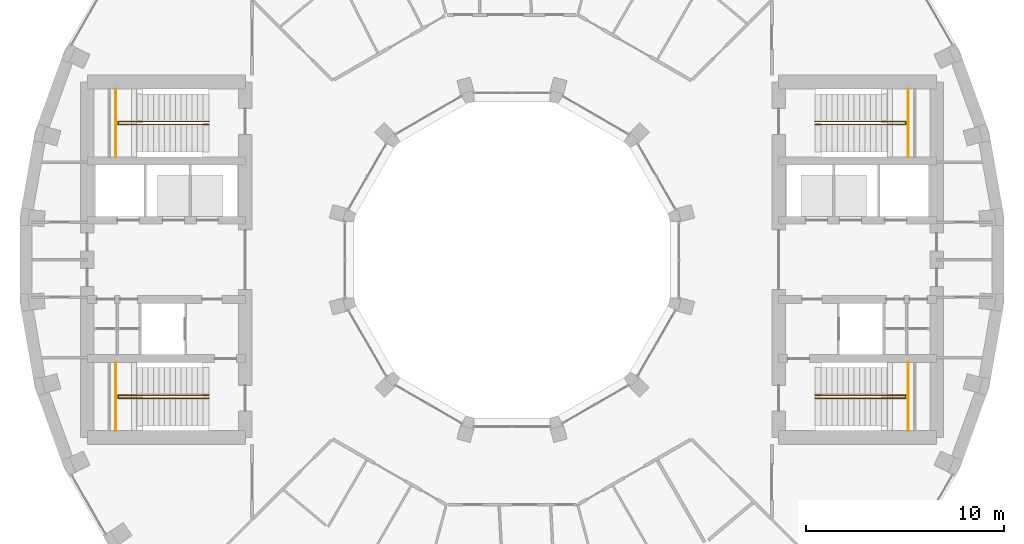
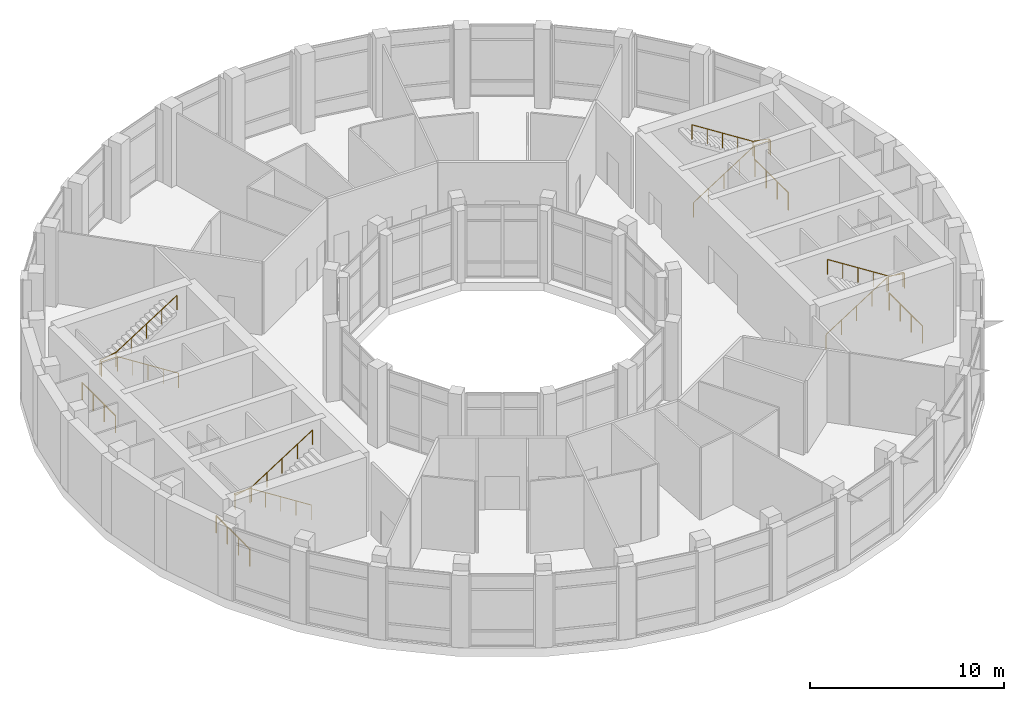
# One storey, part 17 of 18: 8 railings.
"""IFC4 building model written with IfcOpenShell, lengths in metres."""

from ifc_helpers import new_model, si_unit, direction, frame, origin, origin_2d, place, context, subcontext, project, spatial, circle, extrude, material, type_object, element, save


model = new_model("IFC4")

# Units and contexts
model_context = context("Model", 3, precision=1e-05, world=origin(), true_north=direction((0.0, 1.0)))
body_context = subcontext(model_context, "Body", "Model", "MODEL_VIEW")
ifc_project = project(units=[si_unit("LENGTHUNIT", "METRE"), si_unit("AREAUNIT", "SQUARE_METRE"), si_unit("VOLUMEUNIT", "CUBIC_METRE"), si_unit("PLANEANGLEUNIT", "RADIAN"), si_unit("MASSUNIT", "GRAM", prefix="KILO")], contexts=[model_context])

# Site, building, storey
site_placement = place(None, origin())
site = spatial("IfcSite", under=ifc_project, at=site_placement, CompositionType="ELEMENT")
building_placement = place(site_placement, origin())
building = spatial("IfcBuilding", under=site, at=building_placement, Name="Saqina Gate Tower", CompositionType="ELEMENT")
storey_placement = place(building_placement, frame((0.0, 0.0, 155.800048828125)))
storey = spatial("IfcBuildingStorey", under=building, at=storey_placement, Name="L44", CompositionType="ELEMENT", Elevation=155.800048828125)

# Railings
ifc_material_1 = material(Name="Stainless steel", Category="steel")
railing_type_1 = type_object("IfcRailingType", Name="STAIR GUARD", PredefinedType="GUARDRAIL", material=ifc_material_1)
railing_1_placement = place(storey_placement, frame((20.06005859375, 5.199951171875, 0.0)))
element("IfcRailing", 1, at=railing_1_placement, inside=storey, type_object=railing_type_1, Name="STAIR GUARD", PredefinedType="GUARDRAIL", context=body_context, shape_type="SweptSolid", body=[
    extrude(circle(Radius=0.02392578125, at=origin_2d()), frame((0.0, 0.0, 1.076171875), z_axis=(0.0, 1.0, 0.0), x_axis=(-1.0, 0.0, 0.0)), (0.0, 0.0, 1.0), 3.449951171875),
    extrude(circle(Radius=0.02099609375, at=origin_2d()), origin(), (0.0, 0.0, 1.0), 1.052001953125),
    extrude(circle(Radius=0.02099609375, at=origin_2d()), frame((0.0, 1.14990234375, 0.0)), (0.0, 0.0, 1.0), 1.052001953125),
    extrude(circle(Radius=0.02099609375, at=origin_2d()), frame((0.0, 2.300048828125, 0.0)), (0.0, 0.0, 1.0), 1.052001953125),
    extrude(circle(Radius=0.02099609375, at=origin_2d()), frame((0.0, 3.449951171875, 0.0)), (0.0, 0.0, 1.0), 1.052001953125),
])
railing_2_placement = place(storey_placement, frame((20.06005859375, -5.199951171875, 0.0)))
element("IfcRailing", 2, at=railing_2_placement, inside=storey, type_object=railing_type_1, Name="STAIR GUARD", PredefinedType="GUARDRAIL", context=body_context, shape_type="SweptSolid", body=[
    extrude(circle(Radius=0.02392578125, at=origin_2d()), frame((0.0, 0.0, 1.076171875), z_axis=(0.0, -1.0, 0.0), x_axis=(1.0, 0.0, 0.0)), (0.0, 0.0, 1.0), 3.449951171875),
    extrude(circle(Radius=0.02099609375, at=origin_2d()), origin(), (0.0, 0.0, 1.0), 1.052001953125),
    extrude(circle(Radius=0.02099609375, at=origin_2d()), frame((0.0, -1.14990234375, 0.0)), (0.0, 0.0, 1.0), 1.052001953125),
    extrude(circle(Radius=0.02099609375, at=origin_2d()), frame((0.0, -2.300048828125, 0.0)), (0.0, 0.0, 1.0), 1.052001953125),
    extrude(circle(Radius=0.02099609375, at=origin_2d()), frame((0.0, -3.449951171875, 0.0)), (0.0, 0.0, 1.0), 1.052001953125),
])
railing_3_placement = place(storey_placement, frame((-20.06005859375, 5.199951171875, 0.0)))
element("IfcRailing", 3, at=railing_3_placement, inside=storey, type_object=railing_type_1, Name="STAIR GUARD", PredefinedType="GUARDRAIL", context=body_context, shape_type="SweptSolid", body=[
    extrude(circle(Radius=0.02392578125, at=origin_2d()), frame((0.0, 0.0, 1.076171875), z_axis=(0.0, 1.0, 0.0), x_axis=(-1.0, 0.0, 0.0)), (0.0, 0.0, 1.0), 3.449951171875),
    extrude(circle(Radius=0.02099609375, at=origin_2d()), origin(), (0.0, 0.0, 1.0), 1.052001953125),
    extrude(circle(Radius=0.02099609375, at=origin_2d()), frame((0.0, 1.14990234375, 0.0)), (0.0, 0.0, 1.0), 1.052001953125),
    extrude(circle(Radius=0.02099609375, at=origin_2d()), frame((0.0, 2.300048828125, 0.0)), (0.0, 0.0, 1.0), 1.052001953125),
    extrude(circle(Radius=0.02099609375, at=origin_2d()), frame((0.0, 3.449951171875, 0.0)), (0.0, 0.0, 1.0), 1.052001953125),
])
railing_4_placement = place(storey_placement, frame((-20.06005859375, -5.199951171875, 0.0)))
element("IfcRailing", 4, at=railing_4_placement, inside=storey, type_object=railing_type_1, Name="STAIR GUARD", PredefinedType="GUARDRAIL", context=body_context, shape_type="SweptSolid", body=[
    extrude(circle(Radius=0.02392578125, at=origin_2d()), frame((0.0, 0.0, 1.076171875), z_axis=(0.0, -1.0, 0.0), x_axis=(1.0, 0.0, 0.0)), (0.0, 0.0, 1.0), 3.449951171875),
    extrude(circle(Radius=0.02099609375, at=origin_2d()), origin(), (0.0, 0.0, 1.0), 1.052001953125),
    extrude(circle(Radius=0.02099609375, at=origin_2d()), frame((0.0, -1.14990234375, 0.0)), (0.0, 0.0, 1.0), 1.052001953125),
    extrude(circle(Radius=0.02099609375, at=origin_2d()), frame((0.0, -2.300048828125, 0.0)), (0.0, 0.0, 1.0), 1.052001953125),
    extrude(circle(Radius=0.02099609375, at=origin_2d()), frame((0.0, -3.449951171875, 0.0)), (0.0, 0.0, 1.0), 1.052001953125),
])
ifc_material_2 = material(Name="Stainless steel", Category="steel")
railing_type_2 = type_object("IfcRailingType", Name="STAIR HANDRAIL", PredefinedType="HANDRAIL", material=ifc_material_2)
railing_5_placement = place(storey_placement, frame((15.35009765625, 6.85009765625, 0.178466796875)))
element("IfcRailing", 5, at=railing_5_placement, inside=storey, type_object=railing_type_2, Name="EXIT STAIR 1 HANDRAIL", PredefinedType="HANDRAIL", context=body_context, shape_type="SweptSolid", body=[
    extrude(circle(Radius=0.02392578125, at=origin_2d()), frame((0.0, 0.0, 0.92578125), z_axis=(0.843111507901, 0.0, 0.53773877045), x_axis=(0.0, 1.0, 0.0)), (0.0, 0.0, 1.0), 4.317138671875),
    extrude(circle(Radius=0.02392578125, at=origin_2d()), frame((3.639892578125, 0.0, 3.24755859375), z_axis=(1.0, 0.0, 0.0), x_axis=(0.0, 1.0, 0.0)), (0.0, 0.0, 1.0), 0.949951171875),
    extrude(circle(Radius=0.02392578125, at=origin_2d()), frame((4.58984375, 0.0, 3.24755859375), z_axis=(0.0, 1.0, 0.0), x_axis=(-1.0, 0.0, 0.0)), (0.0, 0.0, 1.0), 0.14990234375),
    extrude(circle(Radius=0.02392578125, at=origin_2d()), frame((4.58984375, 0.14990234375, 3.24755859375), z_axis=(-0.982806357057, 0.0, 0.184639282192), x_axis=(0.0, -1.0, 0.0)), (0.0, 0.0, 1.0), 0.966552734375),
    extrude(circle(Radius=0.02392578125, at=origin_2d()), frame((3.639892578125, 0.14990234375, 3.42578125), z_axis=(-0.843111507901, 0.0, 0.53773877045), x_axis=(0.0, -1.0, 0.0)), (0.0, 0.0, 1.0), 4.317138671875),
    extrude(circle(Radius=0.02099609375, at=origin_2d()), origin(), (0.0, 0.0, 1.0), 0.90185546875),
    extrude(circle(Radius=0.02099609375, at=origin_2d()), frame((0.909912109375, 0.0, 0.580322265625)), (0.0, 0.0, 1.0), 0.90185546875),
    extrude(circle(Radius=0.02099609375, at=origin_2d()), frame((1.81982421875, 0.0, 1.16064453125)), (0.0, 0.0, 1.0), 0.90185546875),
    extrude(circle(Radius=0.02099609375, at=origin_2d()), frame((2.72998046875, 0.0, 1.7412109375)), (0.0, 0.0, 1.0), 0.90185546875),
    extrude(circle(Radius=0.02099609375, at=origin_2d()), frame((3.639892578125, 0.0, 2.321533203125)), (0.0, 0.0, 1.0), 0.90185546875),
    extrude(circle(Radius=0.02099609375, at=origin_2d()), frame((4.58984375, 0.0, 2.321533203125)), (0.0, 0.0, 1.0), 0.90185546875),
    extrude(circle(Radius=0.02099609375, at=origin_2d()), frame((4.58984375, 0.14990234375, 2.321533203125)), (0.0, 0.0, 1.0), 0.90185546875),
    extrude(circle(Radius=0.02099609375, at=origin_2d()), frame((3.639892578125, 0.14990234375, 2.5)), (0.0, 0.0, 1.0), 0.90185546875),
    extrude(circle(Radius=0.02099609375, at=origin_2d()), frame((2.72998046875, 0.14990234375, 3.080322265625)), (0.0, 0.0, 1.0), 0.90185546875),
    extrude(circle(Radius=0.02099609375, at=origin_2d()), frame((1.81982421875, 0.14990234375, 3.66064453125)), (0.0, 0.0, 1.0), 0.90185546875),
    extrude(circle(Radius=0.02099609375, at=origin_2d()), frame((0.909912109375, 0.14990234375, 4.2412109375)), (0.0, 0.0, 1.0), 0.90185546875),
    extrude(circle(Radius=0.02099609375, at=origin_2d()), frame((0.0, 0.14990234375, 4.821533203125)), (0.0, 0.0, 1.0), 0.90185546875),
])
railing_6_placement = place(storey_placement, frame((15.35009765625, -6.85009765625, 0.178466796875)))
element("IfcRailing", 6, at=railing_6_placement, inside=storey, type_object=railing_type_2, Name="EXIT STAIR 2 HANDRAIL", PredefinedType="HANDRAIL", context=body_context, shape_type="SweptSolid", body=[
    extrude(circle(Radius=0.02392578125, at=origin_2d()), frame((0.0, 0.0, 0.92578125), z_axis=(0.843111507901, 0.0, 0.53773877045), x_axis=(0.0, 1.0, 0.0)), (0.0, 0.0, 1.0), 4.317138671875),
    extrude(circle(Radius=0.02392578125, at=origin_2d()), frame((3.639892578125, 0.0, 3.24755859375), z_axis=(1.0, 0.0, 0.0), x_axis=(0.0, 1.0, 0.0)), (0.0, 0.0, 1.0), 0.949951171875),
    extrude(circle(Radius=0.02392578125, at=origin_2d()), frame((4.58984375, 0.0, 3.24755859375), z_axis=(0.0, -1.0, 0.0), x_axis=(1.0, 0.0, 0.0)), (0.0, 0.0, 1.0), 0.14990234375),
    extrude(circle(Radius=0.02392578125, at=origin_2d()), frame((4.58984375, -0.14990234375, 3.24755859375), z_axis=(-0.982806357057, 0.0, 0.184639282192), x_axis=(0.0, -1.0, 0.0)), (0.0, 0.0, 1.0), 0.966552734375),
    extrude(circle(Radius=0.02392578125, at=origin_2d()), frame((3.639892578125, -0.14990234375, 3.42578125), z_axis=(-0.843111507901, 0.0, 0.53773877045), x_axis=(0.0, -1.0, 0.0)), (0.0, 0.0, 1.0), 4.317138671875),
    extrude(circle(Radius=0.02099609375, at=origin_2d()), origin(), (0.0, 0.0, 1.0), 0.90185546875),
    extrude(circle(Radius=0.02099609375, at=origin_2d()), frame((0.909912109375, 0.0, 0.580322265625)), (0.0, 0.0, 1.0), 0.90185546875),
    extrude(circle(Radius=0.02099609375, at=origin_2d()), frame((1.81982421875, 0.0, 1.16064453125)), (0.0, 0.0, 1.0), 0.90185546875),
    extrude(circle(Radius=0.02099609375, at=origin_2d()), frame((2.72998046875, 0.0, 1.7412109375)), (0.0, 0.0, 1.0), 0.90185546875),
    extrude(circle(Radius=0.02099609375, at=origin_2d()), frame((3.639892578125, 0.0, 2.321533203125)), (0.0, 0.0, 1.0), 0.90185546875),
    extrude(circle(Radius=0.02099609375, at=origin_2d()), frame((4.58984375, 0.0, 2.321533203125)), (0.0, 0.0, 1.0), 0.90185546875),
    extrude(circle(Radius=0.02099609375, at=origin_2d()), frame((4.58984375, -0.14990234375, 2.321533203125)), (0.0, 0.0, 1.0), 0.90185546875),
    extrude(circle(Radius=0.02099609375, at=origin_2d()), frame((3.639892578125, -0.14990234375, 2.5)), (0.0, 0.0, 1.0), 0.90185546875),
    extrude(circle(Radius=0.02099609375, at=origin_2d()), frame((2.72998046875, -0.14990234375, 3.080322265625)), (0.0, 0.0, 1.0), 0.90185546875),
    extrude(circle(Radius=0.02099609375, at=origin_2d()), frame((1.81982421875, -0.14990234375, 3.66064453125)), (0.0, 0.0, 1.0), 0.90185546875),
    extrude(circle(Radius=0.02099609375, at=origin_2d()), frame((0.909912109375, -0.14990234375, 4.2412109375)), (0.0, 0.0, 1.0), 0.90185546875),
    extrude(circle(Radius=0.02099609375, at=origin_2d()), frame((0.0, -0.14990234375, 4.821533203125)), (0.0, 0.0, 1.0), 0.90185546875),
])
railing_7_placement = place(storey_placement, frame((-15.35009765625, 6.85009765625, 0.178466796875)))
element("IfcRailing", 7, at=railing_7_placement, inside=storey, type_object=railing_type_2, Name="EXIT STAIR 3 HANDRAIL", PredefinedType="HANDRAIL", context=body_context, shape_type="SweptSolid", body=[
    extrude(circle(Radius=0.02392578125, at=origin_2d()), frame((0.0, 0.0, 0.92578125), z_axis=(-0.843111507901, 0.0, 0.53773877045), x_axis=(0.0, -1.0, 0.0)), (0.0, 0.0, 1.0), 4.317138671875),
    extrude(circle(Radius=0.02392578125, at=origin_2d()), frame((-3.639892578125, 0.0, 3.24755859375), z_axis=(-1.0, 0.0, 0.0), x_axis=(0.0, -1.0, 0.0)), (0.0, 0.0, 1.0), 0.949951171875),
    extrude(circle(Radius=0.02392578125, at=origin_2d()), frame((-4.58984375, 0.0, 3.24755859375), z_axis=(0.0, 1.0, 0.0), x_axis=(-1.0, 0.0, 0.0)), (0.0, 0.0, 1.0), 0.14990234375),
    extrude(circle(Radius=0.02392578125, at=origin_2d()), frame((-4.58984375, 0.14990234375, 3.24755859375), z_axis=(0.982806357057, 0.0, 0.184639282192), x_axis=(0.0, 1.0, 0.0)), (0.0, 0.0, 1.0), 0.966552734375),
    extrude(circle(Radius=0.02392578125, at=origin_2d()), frame((-3.639892578125, 0.14990234375, 3.42578125), z_axis=(0.843111507901, 0.0, 0.53773877045), x_axis=(0.0, 1.0, 0.0)), (0.0, 0.0, 1.0), 4.317138671875),
    extrude(circle(Radius=0.02099609375, at=origin_2d()), origin(), (0.0, 0.0, 1.0), 0.90185546875),
    extrude(circle(Radius=0.02099609375, at=origin_2d()), frame((-0.909912109375, 0.0, 0.580322265625)), (0.0, 0.0, 1.0), 0.90185546875),
    extrude(circle(Radius=0.02099609375, at=origin_2d()), frame((-1.81982421875, 0.0, 1.16064453125)), (0.0, 0.0, 1.0), 0.90185546875),
    extrude(circle(Radius=0.02099609375, at=origin_2d()), frame((-2.72998046875, 0.0, 1.7412109375)), (0.0, 0.0, 1.0), 0.90185546875),
    extrude(circle(Radius=0.02099609375, at=origin_2d()), frame((-3.639892578125, 0.0, 2.321533203125)), (0.0, 0.0, 1.0), 0.90185546875),
    extrude(circle(Radius=0.02099609375, at=origin_2d()), frame((-4.58984375, 0.0, 2.321533203125)), (0.0, 0.0, 1.0), 0.90185546875),
    extrude(circle(Radius=0.02099609375, at=origin_2d()), frame((-4.58984375, 0.14990234375, 2.321533203125)), (0.0, 0.0, 1.0), 0.90185546875),
    extrude(circle(Radius=0.02099609375, at=origin_2d()), frame((-3.639892578125, 0.14990234375, 2.5)), (0.0, 0.0, 1.0), 0.90185546875),
    extrude(circle(Radius=0.02099609375, at=origin_2d()), frame((-2.72998046875, 0.14990234375, 3.080322265625)), (0.0, 0.0, 1.0), 0.90185546875),
    extrude(circle(Radius=0.02099609375, at=origin_2d()), frame((-1.81982421875, 0.14990234375, 3.66064453125)), (0.0, 0.0, 1.0), 0.90185546875),
    extrude(circle(Radius=0.02099609375, at=origin_2d()), frame((-0.909912109375, 0.14990234375, 4.2412109375)), (0.0, 0.0, 1.0), 0.90185546875),
    extrude(circle(Radius=0.02099609375, at=origin_2d()), frame((0.0, 0.14990234375, 4.821533203125)), (0.0, 0.0, 1.0), 0.90185546875),
])
railing_8_placement = place(storey_placement, frame((-15.35009765625, -6.85009765625, 0.178466796875)))
element("IfcRailing", 8, at=railing_8_placement, inside=storey, type_object=railing_type_2, Name="EXIT STAIR 4 HANDRAIL", PredefinedType="HANDRAIL", context=body_context, shape_type="SweptSolid", body=[
    extrude(circle(Radius=0.02392578125, at=origin_2d()), frame((0.0, 0.0, 0.92578125), z_axis=(-0.843111507901, 0.0, 0.53773877045), x_axis=(0.0, -1.0, 0.0)), (0.0, 0.0, 1.0), 4.317138671875),
    extrude(circle(Radius=0.02392578125, at=origin_2d()), frame((-3.639892578125, 0.0, 3.24755859375), z_axis=(-1.0, 0.0, 0.0), x_axis=(0.0, -1.0, 0.0)), (0.0, 0.0, 1.0), 0.949951171875),
    extrude(circle(Radius=0.02392578125, at=origin_2d()), frame((-4.58984375, 0.0, 3.24755859375), z_axis=(0.0, -1.0, 0.0), x_axis=(1.0, 0.0, 0.0)), (0.0, 0.0, 1.0), 0.14990234375),
    extrude(circle(Radius=0.02392578125, at=origin_2d()), frame((-4.58984375, -0.14990234375, 3.24755859375), z_axis=(0.982806357057, 0.0, 0.184639282192), x_axis=(0.0, 1.0, 0.0)), (0.0, 0.0, 1.0), 0.966552734375),
    extrude(circle(Radius=0.02392578125, at=origin_2d()), frame((-3.639892578125, -0.14990234375, 3.42578125), z_axis=(0.843111507901, 0.0, 0.53773877045), x_axis=(0.0, 1.0, 0.0)), (0.0, 0.0, 1.0), 4.317138671875),
    extrude(circle(Radius=0.02099609375, at=origin_2d()), origin(), (0.0, 0.0, 1.0), 0.90185546875),
    extrude(circle(Radius=0.02099609375, at=origin_2d()), frame((-0.909912109375, 0.0, 0.580322265625)), (0.0, 0.0, 1.0), 0.90185546875),
    extrude(circle(Radius=0.02099609375, at=origin_2d()), frame((-1.81982421875, 0.0, 1.16064453125)), (0.0, 0.0, 1.0), 0.90185546875),
    extrude(circle(Radius=0.02099609375, at=origin_2d()), frame((-2.72998046875, 0.0, 1.7412109375)), (0.0, 0.0, 1.0), 0.90185546875),
    extrude(circle(Radius=0.02099609375, at=origin_2d()), frame((-3.639892578125, 0.0, 2.321533203125)), (0.0, 0.0, 1.0), 0.90185546875),
    extrude(circle(Radius=0.02099609375, at=origin_2d()), frame((-4.58984375, 0.0, 2.321533203125)), (0.0, 0.0, 1.0), 0.90185546875),
    extrude(circle(Radius=0.02099609375, at=origin_2d()), frame((-4.58984375, -0.14990234375, 2.321533203125)), (0.0, 0.0, 1.0), 0.90185546875),
    extrude(circle(Radius=0.02099609375, at=origin_2d()), frame((-3.639892578125, -0.14990234375, 2.5)), (0.0, 0.0, 1.0), 0.90185546875),
    extrude(circle(Radius=0.02099609375, at=origin_2d()), frame((-2.72998046875, -0.14990234375, 3.080322265625)), (0.0, 0.0, 1.0), 0.90185546875),
    extrude(circle(Radius=0.02099609375, at=origin_2d()), frame((-1.81982421875, -0.14990234375, 3.66064453125)), (0.0, 0.0, 1.0), 0.90185546875),
    extrude(circle(Radius=0.02099609375, at=origin_2d()), frame((-0.909912109375, -0.14990234375, 4.2412109375)), (0.0, 0.0, 1.0), 0.90185546875),
    extrude(circle(Radius=0.02099609375, at=origin_2d()), frame((0.0, -0.14990234375, 4.821533203125)), (0.0, 0.0, 1.0), 0.90185546875),
])

save(model, "model.ifc")
